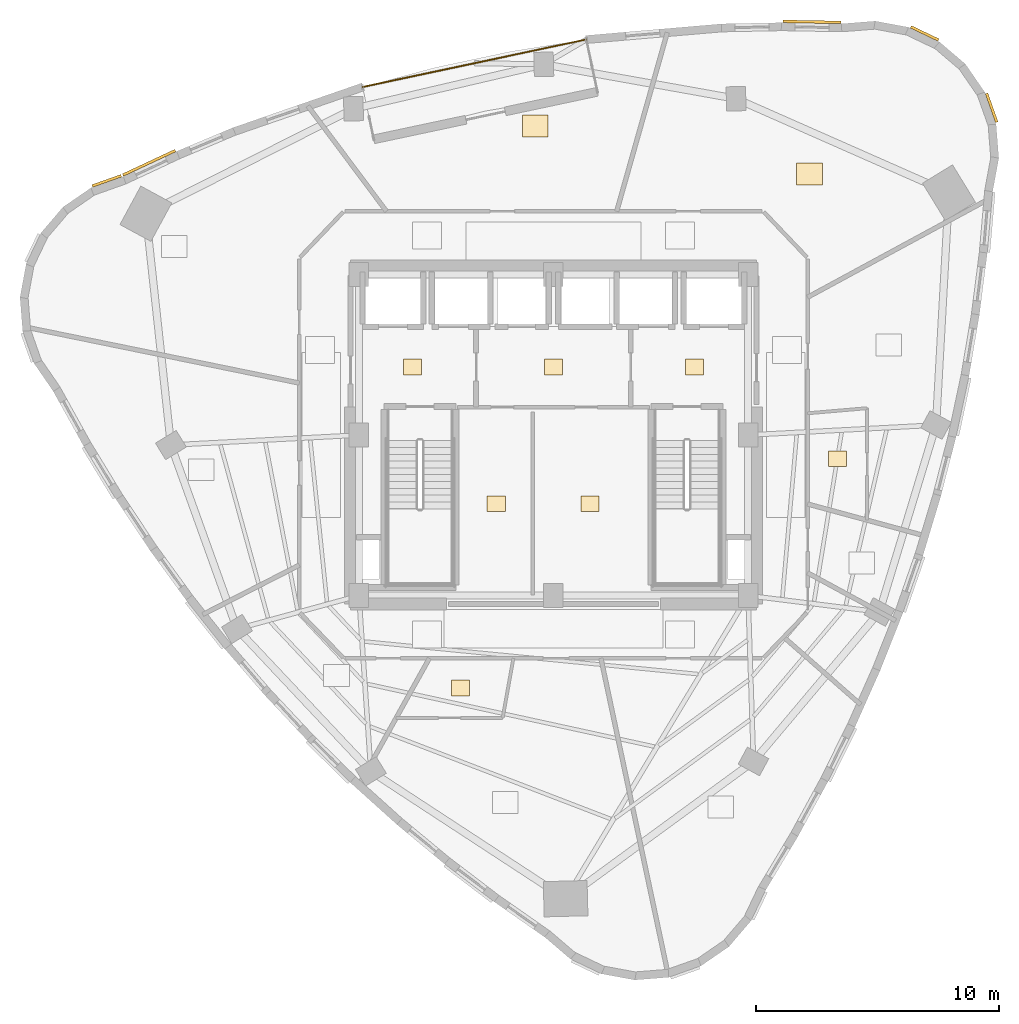
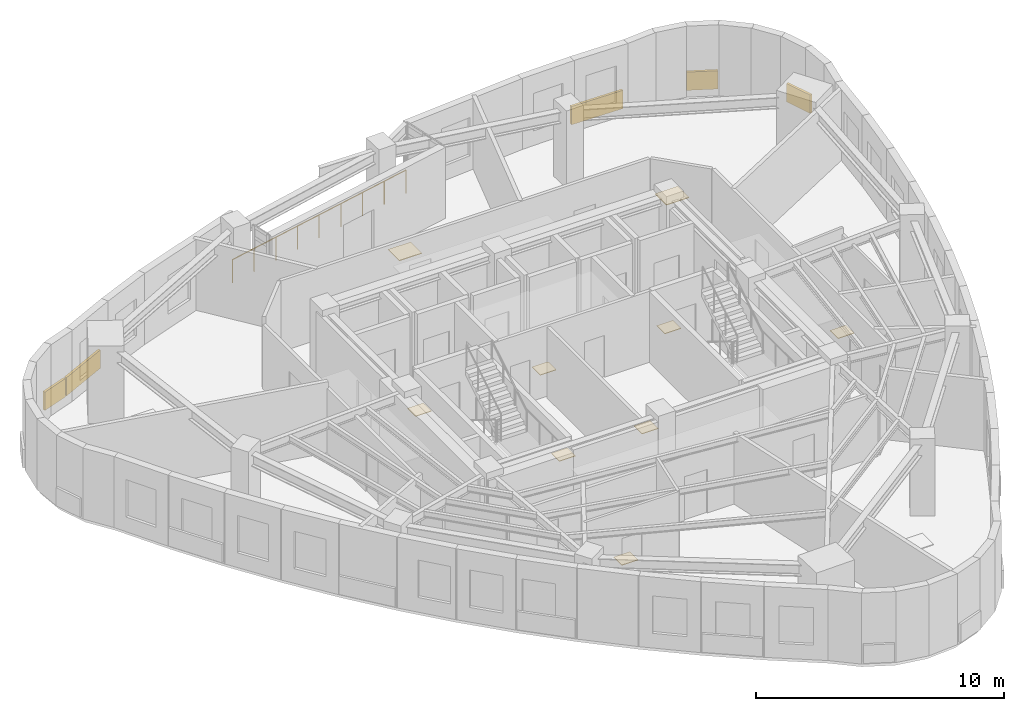
# One storey, part 10 of 10: 14 coverings, 1 railing.
"""IFC4 building model written with IfcOpenShell, lengths in metres."""

from ifc_helpers import new_model, si_unit, direction, frame, origin, origin_2d, place, context, subcontext, project, spatial, rectangle, circle, extrude, material, layer, layer_set, type_object, element, save


model = new_model("IFC4")

# Units and contexts
model_context = context("Model", 3, precision=1e-05, world=origin(), true_north=direction((0.0, 1.0)))
body_context = subcontext(model_context, "Body", "Model", "MODEL_VIEW")
ifc_project = project(units=[si_unit("LENGTHUNIT", "METRE"), si_unit("AREAUNIT", "SQUARE_METRE"), si_unit("VOLUMEUNIT", "CUBIC_METRE"), si_unit("PLANEANGLEUNIT", "RADIAN"), si_unit("MASSUNIT", "GRAM", prefix="KILO")], contexts=[model_context])

# Site, building, storey
site_placement = place(None, origin())
site = spatial("IfcSite", under=ifc_project, at=site_placement, CompositionType="ELEMENT")
building_placement = place(site_placement, origin())
building = spatial("IfcBuilding", under=site, at=building_placement, Name="Ndelora Gate Hotel", CompositionType="ELEMENT")
storey_placement = place(building_placement, frame((0.0, 0.0, 251.14990234375)))
storey = spatial("IfcBuildingStorey", under=building, at=storey_placement, Name="L63", CompositionType="ELEMENT", Elevation=251.14990234375)

# Coverings
ifc_material_1 = material(Name="Terracotta Fired Clay Brick Slip Cladding", Category="masonry")
ifc_layer_1 = layer(ifc_material_1, 0.110107421875)
ifc_layer_set_1 = layer_set([ifc_layer_1], Name="Terracotta Fired Clay Brick Slip Cladding")
covering_type_1 = type_object("IfcCoveringType", Name="COV-CLAD-BRK", PredefinedType="CLADDING", material=ifc_layer_set_1)
for number, where, z_axis, x_axis, name in (
    (1, (-18.369140625, 10.451416015625, 0.10009765625), (0.0, 0.0, 1.0), (0.942641491092, 0.333806859234, 0.0), "L63 Rounded-Corner Brick Cladding Band 1"),
    (2, (18.017578125, 13.45556640625, 0.10009765625), (0.0, 0.0, 1.0), (-0.333806859234, 0.942641491092, 0.0), "L63 Rounded-Corner Brick Cladding Band 43"),
):
    element("IfcCovering", number, at=place(storey_placement, frame(where, z_axis=z_axis, x_axis=x_axis)), inside=storey, type_object=covering_type_1, Name=name, PredefinedType="CLADDING", context=body_context, shape_type="SweptSolid", body=[
        extrude(rectangle(XDim=1.257080078125, YDim=0.110107421875, at=origin_2d()), origin(), (0.0, 0.0, 1.0), 0.89990234375),
    ])
covering_placement = place(storey_placement, frame((15.265380859375, 16.51220703125, 0.10009765625), z_axis=(0.0, 0.0, 1.0), x_axis=(-0.90258528435, 0.430511096808, 0.0)))
element("IfcCovering", 3, at=covering_placement, inside=storey, type_object=covering_type_1, Name="L63 Rounded-Corner Brick Cladding Band 46", PredefinedType="CLADDING", context=body_context, shape_type="SweptSolid", body=[
    extrude(rectangle(XDim=1.258056640625, YDim=0.110107421875, at=origin_2d()), origin(), (0.0, 0.0, 1.0), 0.89990234375),
])
for number, where, z_axis, x_axis, name in (
    (4, (10.63525390625, 16.9892578125, 0.10009765625), (0.0, 0.0, 1.0), (-0.999835267422, 0.018150427499, 0.0), "L63 Rounded-Corner Brick Cladding Band 49"),
    (5, (-16.6259765625, 11.194580078125, 0.10009765625), (0.0, 0.0, 1.0), (0.906012522993, 0.423250880897, 0.0), "L63 Rounded-Corner Brick Cladding Band 58"),
):
    element("IfcCovering", number, at=place(storey_placement, frame(where, z_axis=z_axis, x_axis=x_axis)), inside=storey, type_object=covering_type_1, Name=name, PredefinedType="CLADDING", context=body_context, shape_type="SweptSolid", body=[
        extrude(rectangle(XDim=2.37890625, YDim=0.110107421875, at=origin_2d()), origin(), (0.0, 0.0, 1.0), 0.89990234375),
    ])
ifc_material_2 = material(Name="Engineered Highland Oak Parquet", Category="wood")
ifc_layer_2 = layer(ifc_material_2, 0.030029296875)
ifc_layer_set_2 = layer_set([ifc_layer_2], Name="Engineered Highland Oak Parquet")
covering_type_2 = type_object("IfcCoveringType", Name="COV-FLR-PARQ", PredefinedType="FLOORING", material=ifc_layer_set_2)
for number, where, z_axis, x_axis, name in (
    (6, (10.527587890625, 10.72705078125, 0.0), (0.0, 0.0, 1.0), (1.0, 0.0, 0.0), "L63 State Banquet Dining Room Oak Parquet Flooring"),
    (7, (-0.744140625, 12.714111328125, 0.0), (0.0, 0.0, 1.0), (1.0, 0.0, 0.0), "L63 Sky Garden Tea Dining Room Oak Parquet Flooring"),
):
    element("IfcCovering", number, at=place(storey_placement, frame(where, z_axis=z_axis, x_axis=x_axis)), inside=storey, type_object=covering_type_2, Name=name, PredefinedType="FLOORING", context=body_context, shape_type="SweptSolid", body=[
        extrude(rectangle(XDim=1.050048828125, YDim=0.89990234375, at=origin_2d()), origin(), (0.0, 0.0, 1.0), 0.030029296875),
    ])
ifc_material_3 = material(Name="Non-Slip Porcelain Wet-Room Tile", Category="ceramic")
ifc_layer_3 = layer(ifc_material_3, 0.02490234375)
ifc_layer_set_3 = layer_set([ifc_layer_3], Name="Non-Slip Porcelain Wet-Room Tile")
covering_type_3 = type_object("IfcCoveringType", Name="COV-FLR-TILE", PredefinedType="FLOORING", material=ifc_layer_set_3)
for number, where, z_axis, x_axis, name in (
    (8, (-5.800048828125, 2.800048828125, 0.000244140625), (0.0, 0.0, 1.0), (1.0, 0.0, 0.0), "L63 Firefighting Lift Lobby West Porcelain Tile Flooring"),
    (9, (5.800048828125, 2.800048828125, 0.000244140625), (0.0, 0.0, 1.0), (1.0, 0.0, 0.0), "L63 Firefighting Lift Lobby East Porcelain Tile Flooring"),
    (10, (0.0, 2.800048828125, 0.000244140625), (0.0, 0.0, 1.0), (1.0, 0.0, 0.0), "L63 Central Passenger Lift Lobby Porcelain Tile Flooring"),
    (11, (-2.35009765625, -2.824951171875, 0.000244140625), (0.0, 0.0, 1.0), (1.0, 0.0, 0.0), "L63 Core Electrical Switchroom Porcelain Tile Flooring"),
    (12, (1.5, -2.824951171875, 0.000244140625), (0.0, 0.0, 1.0), (1.0, 0.0, 0.0), "L63 Central Linen Equipment Store Porcelain Tile Flooring"),
    (13, (11.675048828125, -0.973388671875, 0.000244140625), (0.0, 0.0, 1.0), (1.0, 0.0, 0.0), "L63 En-suite Bathroom 6601 Porcelain Tile Flooring"),
    (14, (-3.82421875, -10.405029296875, 0.000244140625), (0.0, 0.0, 1.0), (1.0, 0.0, 0.0), "L63 En-suite Bathroom 6602 Porcelain Tile Flooring"),
):
    element("IfcCovering", number, at=place(storey_placement, frame(where, z_axis=z_axis, x_axis=x_axis)), inside=storey, type_object=covering_type_3, Name=name, PredefinedType="FLOORING", context=body_context, shape_type="SweptSolid", body=[
        extrude(rectangle(XDim=0.75, YDim=0.64990234375, at=origin_2d()), origin(), (0.0, 0.0, 1.0), 0.02490234375),
    ])

# Railing
ifc_material_4 = material(Name="Laminated Safety Glass and Bronze Top Rail", Category="glass")
ifc_layer_4 = layer(ifc_material_4, 0.070068359375)
ifc_layer_set_4 = layer_set([ifc_layer_4], Name="Laminated Safety Glass and Bronze Top Rail")
railing_type = type_object("IfcRailingType", Name="RL-BAL-1150", PredefinedType="BALUSTRADE", material=ifc_layer_set_4)
railing_placement = place(storey_placement, frame((1.34765625, 16.265380859375, 0.0)))
element("IfcRailing", 15, at=railing_placement, inside=storey, type_object=railing_type, Name="L63 Sky-Garden Loggia Terrace Balustrade", PredefinedType="BALUSTRADE", context=body_context, shape_type="SweptSolid", body=[
    extrude(circle(Radius=0.02392578125, at=origin_2d()), frame((0.0, 0.0, 1.1357421875), z_axis=(-0.978153371835, -0.207884538068, 0.0), x_axis=(0.207884538068, -0.978153371835, 0.0)), (0.0, 0.0, 1.0), 9.39990234375),
    extrude(circle(Radius=0.02099609375, at=origin_2d()), origin(), (0.0, 0.0, 1.0), 1.11181640625),
    extrude(circle(Radius=0.02099609375, at=origin_2d()), frame((-1.1494140625, -0.244140625, 0.0)), (0.0, 0.0, 1.0), 1.11181640625),
    extrude(circle(Radius=0.02099609375, at=origin_2d()), frame((-2.298583984375, -0.488525390625, 0.0)), (0.0, 0.0, 1.0), 1.11181640625),
    extrude(circle(Radius=0.02099609375, at=origin_2d()), frame((-3.447998046875, -0.73291015625, 0.0)), (0.0, 0.0, 1.0), 1.11181640625),
    extrude(circle(Radius=0.02099609375, at=origin_2d()), frame((-4.59716796875, -0.97705078125, 0.0)), (0.0, 0.0, 1.0), 1.11181640625),
    extrude(circle(Radius=0.02099609375, at=origin_2d()), frame((-5.74658203125, -1.22119140625, 0.0)), (0.0, 0.0, 1.0), 1.11181640625),
    extrude(circle(Radius=0.02099609375, at=origin_2d()), frame((-6.89599609375, -1.465576171875, 0.0)), (0.0, 0.0, 1.0), 1.11181640625),
    extrude(circle(Radius=0.02099609375, at=origin_2d()), frame((-8.045166015625, -1.7099609375, 0.0)), (0.0, 0.0, 1.0), 1.11181640625),
    extrude(circle(Radius=0.02099609375, at=origin_2d()), frame((-9.194580078125, -1.9541015625, 0.0)), (0.0, 0.0, 1.0), 1.11181640625),
])

save(model, "model.ifc")
